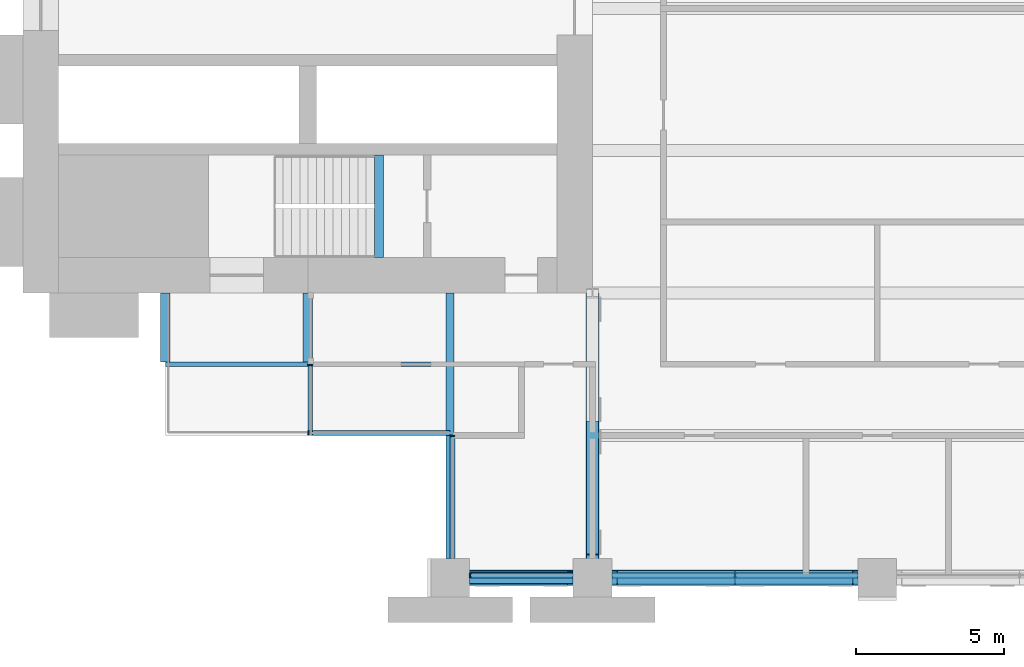
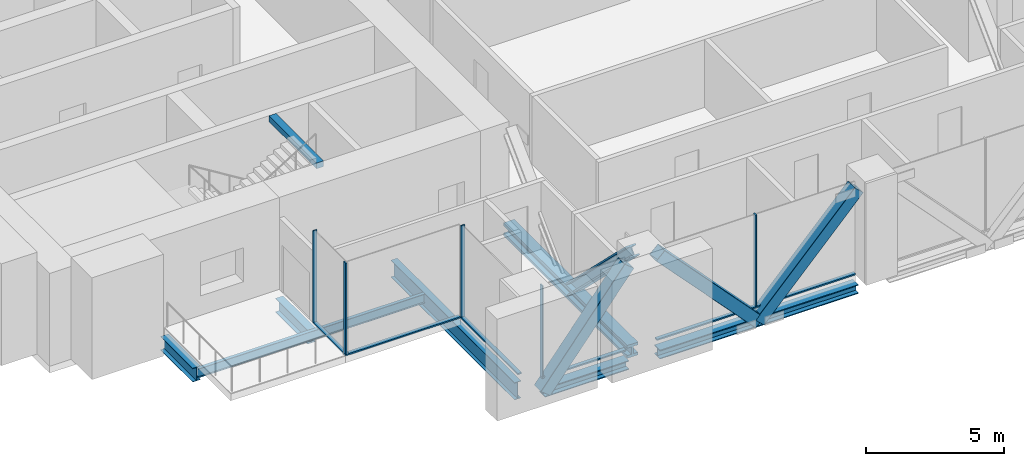
# One storey, part 2 of 15: 14 members, 8 beams, 4 elements without a shape of their own.
"""IFC4 building model written with IfcOpenShell, lengths in metres."""

from ifc_helpers import new_model, si_unit, direction, frame, origin, origin_2d, place, context, subcontext, project, spatial, rectangle, hollow_rectangle, i_section, extrude, material, material_profile, profile_set, type_object, element, aggregate, save


model = new_model("IFC4")

# Units and contexts
model_context = context("Model", 3, precision=1e-05, world=origin(), true_north=direction((0.0, 1.0)))
body_context = subcontext(model_context, "Body", "Model", "MODEL_VIEW")
ifc_project = project(units=[si_unit("LENGTHUNIT", "METRE"), si_unit("AREAUNIT", "SQUARE_METRE"), si_unit("VOLUMEUNIT", "CUBIC_METRE"), si_unit("PLANEANGLEUNIT", "RADIAN"), si_unit("MASSUNIT", "GRAM", prefix="KILO")], contexts=[model_context])

# Site, building, storey
site_placement = place(None, origin())
site = spatial("IfcSite", under=ifc_project, at=site_placement, CompositionType="ELEMENT")
building_placement = place(site_placement, origin())
building = spatial("IfcBuilding", under=site, at=building_placement, Name="Baori Bourse Tower", CompositionType="ELEMENT")
storey_placement = place(building_placement, frame((0.0, 0.0, 87.0)))
storey = spatial("IfcBuildingStorey", under=building, at=storey_placement, Name="L19", CompositionType="ELEMENT", Elevation=87.0)

# Beams
ifc_material_1 = material(Name="Steel A913 Gr 65", Category="steel")
ifc_material_profile_1 = material_profile(ifc_material_1, i_section(OverallWidth=0.4013671875, OverallDepth=0.398681640625, WebThickness=0.02490234375, FlangeThickness=0.03955078125, at=origin_2d()), Name="W14x211")
ifc_profile_set_1 = profile_set([ifc_material_profile_1], Name="Steel A913 Gr 65")
beam_type_1 = type_object("IfcBeamType", Name="Belt truss chord W14x211", PredefinedType="BEAM", material=ifc_profile_set_1)
beam_1_placement = place(storey_placement, frame((15.050048828125, 0.0, -0.49951171875), z_axis=(1.0, 0.0, 0.0), x_axis=(0.0, 1.0, 0.0)))
element("IfcBeam", 1, at=beam_1_placement, inside=storey, type_object=beam_type_1, Name="Belt truss chord L19", PredefinedType="BEAM", context=body_context, shape_type="SweptSolid", body=[
    extrude(i_section(OverallWidth=0.4013671875, OverallDepth=0.398681640625, WebThickness=0.02490234375, FlangeThickness=0.03955078125, at=origin_2d()), origin(), (0.0, 0.0, 1.0), 3.5),
])
beam_2_placement = place(storey_placement, frame((19.85009765625, 0.0, -0.49951171875), z_axis=(1.0, 0.0, 0.0), x_axis=(0.0, 1.0, 0.0)))
element("IfcBeam", 2, at=beam_2_placement, inside=storey, type_object=beam_type_1, Name="Belt truss chord L19", PredefinedType="BEAM", context=body_context, shape_type="SweptSolid", body=[
    extrude(i_section(OverallWidth=0.4013671875, OverallDepth=0.398681640625, WebThickness=0.02490234375, FlangeThickness=0.03955078125, at=origin_2d()), origin(), (0.0, 0.0, 1.0), 8.2998046875),
])

# Members
ifc_material_2 = material(Name="Steel A500 Gr C", Category="steel")
ifc_material_profile_2 = material_profile(ifc_material_2, hollow_rectangle(XDim=0.508056640625, YDim=0.508056640625, WallThickness=0.0146484375, InnerFilletRadius=0.00732421875, OuterFilletRadius=0.022216796875, at=origin_2d()), Name="HSS20x20x5/8")
ifc_profile_set_2 = profile_set([ifc_material_profile_2], Name="Steel A500 Gr C")
member_type_1 = type_object("IfcMemberType", Name="Belt truss diagonal HSS20x20x5/8", PredefinedType="BRACE", material=ifc_profile_set_2)
member_1_placement = place(storey_placement, frame((15.050048828125, 0.0, -0.49951171875), z_axis=(0.622510872677, 0.0, 0.782611150827), x_axis=(0.0, 1.0, 0.0)))
element("IfcMember", 3, at=member_1_placement, inside=storey, type_object=member_type_1, Name="Belt truss diagonal L19", PredefinedType="BRACE", context=body_context, shape_type="SweptSolid", body=[
    extrude(hollow_rectangle(XDim=0.508056640625, YDim=0.508056640625, WallThickness=0.0146484375, InnerFilletRadius=0.00732421875, OuterFilletRadius=0.022216796875, at=origin_2d()), origin(), (0.0, 0.0, 1.0), 5.622314453125),
])
for number, where, z_axis, x_axis, name in (
    (4, (19.85009765625, 0.0, 3.900634765625), (0.686117261825, 0.0, -0.727490964223), (0.0, 1.0, 0.0), "Belt truss diagonal L19"),
    (5, (24.0, 0.0, -0.49951171875), (0.686117261825, 0.0, 0.727490964223), (0.0, 1.0, 0.0), "Belt truss diagonal L19"),
):
    element("IfcMember", number, at=place(storey_placement, frame(where, z_axis=z_axis, x_axis=x_axis)), inside=storey, type_object=member_type_1, Name=name, PredefinedType="BRACE", context=body_context, shape_type="SweptSolid", body=[
        extrude(hollow_rectangle(XDim=0.508056640625, YDim=0.508056640625, WallThickness=0.0146484375, InnerFilletRadius=0.00732421875, OuterFilletRadius=0.022216796875, at=origin_2d()), origin(), (0.0, 0.0, 1.0), 6.04833984375),
    ])

# Curtain wall, member
ifc_material_3 = material(Name="Pale anodised aluminium", Category="aluminium")
curtain_wall_type = type_object("IfcCurtainWallType", Name="CW3 Curtain wall", PredefinedType="NOTDEFINED", material=ifc_material_3)
curtain_wall_1_placement = place(storey_placement, origin())
curtain_wall_1 = element("IfcCurtainWall", 6, at=curtain_wall_1_placement, inside=storey, type_object=curtain_wall_type, Name="Curtain wall CW3 L19 8", PredefinedType="NOTDEFINED")
ifc_material_4 = material(Name="Pale anodised aluminium", Category="aluminium")
ifc_material_profile_3 = material_profile(ifc_material_4, rectangle(XDim=0.159912109375, YDim=0.050048828125, at=origin_2d()), Name="Mullion 50x160")
ifc_profile_set_3 = profile_set([ifc_material_profile_3], Name="Pale anodised aluminium")
member_type_2 = type_object("IfcMemberType", Name="CW3 Curtain wall mullion", PredefinedType="MULLION", material=ifc_profile_set_3)
member_2_placement = place(storey_placement, frame((9.679931640625, 7.175048828125, 0.06005859375), z_axis=(0.0, 0.0, 1.0), x_axis=(1.0, 0.0, 0.0)))
member_2 = element("IfcMember", 7, at=member_2_placement, type_object=member_type_2, Name="Curtain wall CW3 mullion", PredefinedType="MULLION", context=body_context, shape_type="SweptSolid", body=[
    extrude(rectangle(XDim=0.159912109375, YDim=0.050048828125, at=origin_2d()), origin(), (0.0, 0.0, 1.0), 4.0400390625),
])

curtain_wall_2_placement = place(storey_placement, origin())
curtain_wall_2 = element("IfcCurtainWall", 8, at=curtain_wall_2_placement, inside=storey, type_object=curtain_wall_type, Name="Curtain wall CW3 L19 9", PredefinedType="NOTDEFINED")
member_3_placement = place(storey_placement, frame((9.625, 4.8798828125, 0.06005859375), z_axis=(0.0, 0.0, 1.0), x_axis=(0.0, 1.0, 0.0)))
member_3 = element("IfcMember", 9, at=member_3_placement, type_object=member_type_2, Name="Curtain wall CW3 mullion", PredefinedType="MULLION", context=body_context, shape_type="SweptSolid", body=[
    extrude(rectangle(XDim=0.159912109375, YDim=0.050048828125, at=origin_2d()), origin(), (0.0, 0.0, 1.0), 4.0400390625),
])

curtain_wall_3_placement = place(storey_placement, origin())
curtain_wall_3 = element("IfcCurtainWall", 10, at=curtain_wall_3_placement, inside=storey, type_object=curtain_wall_type, Name="Curtain wall CW3 L19 10", PredefinedType="NOTDEFINED")
member_4_placement = place(storey_placement, frame((14.47998046875, 4.77490234375, 0.06005859375), z_axis=(0.0, 0.0, 1.0), x_axis=(1.0, 0.0, 0.0)))
member_4 = element("IfcMember", 11, at=member_4_placement, type_object=member_type_2, Name="Curtain wall CW3 mullion", PredefinedType="MULLION", context=body_context, shape_type="SweptSolid", body=[
    extrude(rectangle(XDim=0.159912109375, YDim=0.050048828125, at=origin_2d()), origin(), (0.0, 0.0, 1.0), 4.0400390625),
])

# Curtain wall, members
curtain_wall_4_placement = place(storey_placement, origin())
curtain_wall_4 = element("IfcCurtainWall", 12, at=curtain_wall_4_placement, inside=storey, type_object=curtain_wall_type, Name="Curtain wall CW3 L19 11", PredefinedType="NOTDEFINED")
member_5_placement = place(storey_placement, frame((15.074951171875, 0.080078125, 0.06005859375), z_axis=(0.0, 0.0, 1.0), x_axis=(0.0, 1.0, 0.0)))
member_5 = element("IfcMember", 13, at=member_5_placement, type_object=member_type_2, Name="Curtain wall CW3 mullion", PredefinedType="MULLION", context=body_context, shape_type="SweptSolid", body=[
    extrude(rectangle(XDim=0.159912109375, YDim=0.050048828125, at=origin_2d()), origin(), (0.0, 0.0, 1.0), 4.0400390625),
])
member_6_placement = place(storey_placement, frame((24.0, 0.080078125, 0.06005859375), z_axis=(0.0, 0.0, 1.0), x_axis=(0.0, 1.0, 0.0)))
member_6 = element("IfcMember", 14, at=member_6_placement, type_object=member_type_2, Name="Curtain wall CW3 mullion", PredefinedType="MULLION", context=body_context, shape_type="SweptSolid", body=[
    extrude(rectangle(XDim=0.159912109375, YDim=0.050048828125, at=origin_2d()), origin(), (0.0, 0.0, 1.0), 4.0400390625),
])

# Member
ifc_material_5 = material(Name="Pale anodised aluminium", Category="aluminium")
ifc_material_profile_4 = material_profile(ifc_material_5, rectangle(XDim=0.159912109375, YDim=0.06005859375, at=origin_2d()), Name="Transom 60x160")
ifc_profile_set_4 = profile_set([ifc_material_profile_4], Name="Pale anodised aluminium")
member_type_3 = type_object("IfcMemberType", Name="CW3 Curtain wall transom", PredefinedType="USERDEFINED", material=ifc_profile_set_4)
member_7_placement = place(storey_placement, frame((9.679931640625, 7.199951171875, 0.030029296875), z_axis=(0.0, -1.0, 0.0), x_axis=(1.0, 0.0, 0.0)))
member_7 = element("IfcMember", 15, at=member_7_placement, type_object=member_type_3, Name="Curtain wall CW3 sill rail", ObjectType="TRANSOM", PredefinedType="USERDEFINED", context=body_context, shape_type="SweptSolid", body=[
    extrude(rectangle(XDim=0.159912109375, YDim=0.06005859375, at=origin_2d()), origin(), (0.0, 0.0, 1.0), 2.39990234375),
])

aggregate(curtain_wall_1, [member_7, member_2])

member_8_placement = place(storey_placement, frame((9.60009765625, 4.8798828125, 0.030029296875), z_axis=(1.0, 0.0, 0.0), x_axis=(0.0, 1.0, 0.0)))
member_8 = element("IfcMember", 16, at=member_8_placement, type_object=member_type_3, Name="Curtain wall CW3 sill rail", ObjectType="TRANSOM", PredefinedType="USERDEFINED", context=body_context, shape_type="SweptSolid", body=[
    extrude(rectangle(XDim=0.159912109375, YDim=0.06005859375, at=origin_2d()), origin(), (0.0, 0.0, 1.0), 4.7998046875),
])

aggregate(curtain_wall_2, [member_8, member_3])

member_9_placement = place(storey_placement, frame((14.47998046875, 4.800048828125, 0.030029296875), z_axis=(0.0, -1.0, 0.0), x_axis=(1.0, 0.0, 0.0)))
member_9 = element("IfcMember", 17, at=member_9_placement, type_object=member_type_3, Name="Curtain wall CW3 sill rail", ObjectType="TRANSOM", PredefinedType="USERDEFINED", context=body_context, shape_type="SweptSolid", body=[
    extrude(rectangle(XDim=0.159912109375, YDim=0.06005859375, at=origin_2d()), origin(), (0.0, 0.0, 1.0), 4.150146484375),
])

aggregate(curtain_wall_3, [member_9, member_4])

member_10_placement = place(storey_placement, frame((15.050048828125, 0.080078125, 0.030029296875), z_axis=(1.0, 0.0, 0.0), x_axis=(0.0, 1.0, 0.0)))
member_10 = element("IfcMember", 18, at=member_10_placement, type_object=member_type_3, Name="Curtain wall CW3 sill rail", ObjectType="TRANSOM", PredefinedType="USERDEFINED", context=body_context, shape_type="SweptSolid", body=[
    extrude(rectangle(XDim=0.159912109375, YDim=0.06005859375, at=origin_2d()), origin(), (0.0, 0.0, 1.0), 3.5),
])

member_11_placement = place(storey_placement, frame((19.85009765625, 0.080078125, 0.030029296875), z_axis=(1.0, 0.0, 0.0), x_axis=(0.0, 1.0, 0.0)))
member_11 = element("IfcMember", 19, at=member_11_placement, type_object=member_type_3, Name="Curtain wall CW3 sill rail", ObjectType="TRANSOM", PredefinedType="USERDEFINED", context=body_context, shape_type="SweptSolid", body=[
    extrude(rectangle(XDim=0.159912109375, YDim=0.06005859375, at=origin_2d()), origin(), (0.0, 0.0, 1.0), 8.2998046875),
])

aggregate(curtain_wall_4, [member_10, member_5, member_11, member_6])

# Beams
ifc_material_6 = material(Name="Steel A992 Gr 50", Category="steel")
ifc_material_profile_5 = material_profile(ifc_material_6, i_section(OverallWidth=0.3251953125, OverallDepth=0.612060546875, WebThickness=0.0126953125, FlangeThickness=0.01904296875, at=origin_2d()), Name="W24x104")
ifc_profile_set_5 = profile_set([ifc_material_profile_5], Name="Steel A992 Gr 50")
beam_type_2 = type_object("IfcBeamType", Name="Core bracket W24x104", PredefinedType="BEAM", material=ifc_profile_set_5)
for number, where, z_axis, x_axis, name in (
    (20, (4.800048828125, 7.270263671875, -0.60595703125), (0.0, 1.0, 0.0), (-1.0, 0.0, 0.0), "Core bracket L19"),
    (21, (9.60009765625, 7.270263671875, -0.60595703125), (0.0, 1.0, 0.0), (-1.0, 0.0, 0.0), "Core bracket L19"),
):
    element("IfcBeam", number, at=place(storey_placement, frame(where, z_axis=z_axis, x_axis=x_axis)), inside=storey, type_object=beam_type_2, Name=name, PredefinedType="BEAM", context=body_context, shape_type="SweptSolid", body=[
        extrude(i_section(OverallWidth=0.3251953125, OverallDepth=0.612060546875, WebThickness=0.0126953125, FlangeThickness=0.01904296875, at=origin_2d()), origin(), (0.0, 0.0, 1.0), 2.329833984375),
    ])
ifc_material_7 = material(Name="Steel A992 Gr 50", Category="steel")
ifc_material_profile_6 = material_profile(ifc_material_7, i_section(OverallWidth=0.2666015625, OverallDepth=0.7568359375, WebThickness=0.013916015625, FlangeThickness=0.019287109375, at=origin_2d()), Name="W30x108")
ifc_profile_set_6 = profile_set([ifc_material_profile_6], Name="Steel A992 Gr 50")
beam_type_3 = type_object("IfcBeamType", Name="Floor beam W30x108", PredefinedType="BEAM", material=ifc_profile_set_6)
beam_3_placement = place(storey_placement, frame((14.39990234375, 0.64990234375, -0.678466796875), z_axis=(0.0, 1.0, 0.0), x_axis=(-1.0, 0.0, 0.0)))
element("IfcBeam", 22, at=beam_3_placement, inside=storey, type_object=beam_type_3, Name="Floor beam L19", PredefinedType="BEAM", context=body_context, shape_type="SweptSolid", body=[
    extrude(i_section(OverallWidth=0.2666015625, OverallDepth=0.7568359375, WebThickness=0.013916015625, FlangeThickness=0.019287109375, at=origin_2d()), origin(), (0.0, 0.0, 1.0), 8.9501953125),
])
ifc_material_8 = material(Name="Steel A913 Gr 65", Category="steel")
ifc_material_profile_7 = material_profile(ifc_material_8, i_section(OverallWidth=0.45458984375, OverallDepth=0.56884765625, WebThickness=0.077880859375, FlangeThickness=0.124755859375, at=origin_2d()), Name="W14x730")
ifc_profile_set_7 = profile_set([ifc_material_profile_7], Name="Steel A913 Gr 65")
beam_type_4 = type_object("IfcBeamType", Name="Outrigger truss chord W14x730", PredefinedType="BEAM", material=ifc_profile_set_7)
beam_4_placement = place(storey_placement, frame((19.199951171875, 0.64990234375, -0.58447265625), z_axis=(0.0, 1.0, 0.0), x_axis=(-1.0, 0.0, 0.0)))
element("IfcBeam", 23, at=beam_4_placement, inside=storey, type_object=beam_type_4, Name="Outrigger truss chord L19", PredefinedType="BEAM", context=body_context, shape_type="SweptSolid", body=[
    extrude(i_section(OverallWidth=0.45458984375, OverallDepth=0.56884765625, WebThickness=0.077880859375, FlangeThickness=0.124755859375, at=origin_2d()), origin(), (0.0, 0.0, 1.0), 8.9501953125),
])

# Member
ifc_material_9 = material(Name="Steel A913 Gr 65", Category="steel")
ifc_material_profile_8 = material_profile(ifc_material_9, i_section(OverallWidth=0.419189453125, OverallDepth=0.45458984375, WebThickness=0.042236328125, FlangeThickness=0.067626953125, at=origin_2d()), Name="W14x370")
ifc_profile_set_8 = profile_set([ifc_material_profile_8], Name="Steel A913 Gr 65")
member_type_4 = type_object("IfcMemberType", Name="Outrigger truss diagonal W14x370", PredefinedType="BRACE", material=ifc_profile_set_8)
member_12_placement = place(storey_placement, frame((19.199951171875, 0.64990234375, 3.8154296875), z_axis=(0.0, 0.713072298636, -0.701090505511), x_axis=(-1.0, 0.0, 0.0)))
element("IfcMember", 24, at=member_12_placement, inside=storey, type_object=member_type_4, Name="Outrigger truss diagonal L19", PredefinedType="BRACE", context=body_context, shape_type="SweptSolid", body=[
    extrude(i_section(OverallWidth=0.419189453125, OverallDepth=0.45458984375, WebThickness=0.042236328125, FlangeThickness=0.067626953125, at=origin_2d()), origin(), (0.0, 0.0, 1.0), 6.27587890625),
])

# Beams
ifc_material_10 = material(Name="Concrete f'c 50 MPa", Category="concrete")
ifc_material_profile_9 = material_profile(ifc_material_10, rectangle(XDim=0.300048828125, YDim=0.25, at=origin_2d()), Name="RC 300x250")
ifc_profile_set_9 = profile_set([ifc_material_profile_9], Name="Concrete f'c 50 MPa")
beam_type_5 = type_object("IfcBeamType", Name="Stair nib beam RC 300x250", PredefinedType="BEAM", material=ifc_profile_set_9)
beam_5_placement = place(storey_placement, frame((12.0, 10.800048828125, 3.97509765625), z_axis=(0.0, 1.0, 0.0), x_axis=(-1.0, 0.0, 0.0)))
element("IfcBeam", 25, at=beam_5_placement, inside=storey, type_object=beam_type_5, Name="Stair WA nib beam L20", PredefinedType="BEAM", context=body_context, shape_type="SweptSolid", body=[
    extrude(rectangle(XDim=0.300048828125, YDim=0.25, at=origin_2d()), origin(), (0.0, 0.0, 1.0), 3.449951171875),
])
ifc_material_11 = material(Name="Steel A992 Gr 50", Category="steel")
ifc_material_profile_10 = material_profile(ifc_material_11, i_section(OverallWidth=0.140380859375, OverallDepth=0.40380859375, WebThickness=0.007080078125, FlangeThickness=0.01123046875, at=origin_2d()), Name="W16x31")
ifc_profile_set_10 = profile_set([ifc_material_profile_10], Name="Steel A992 Gr 50")
beam_type_6 = type_object("IfcBeamType", Name="Trimmer beam W16x31", PredefinedType="BEAM", material=ifc_profile_set_10)
beam_6_placement = place(storey_placement, frame((4.800048828125, 7.199951171875, -0.501953125), z_axis=(1.0, 0.0, 0.0), x_axis=(0.0, 1.0, 0.0)))
element("IfcBeam", 26, at=beam_6_placement, inside=storey, type_object=beam_type_6, Name="Trimmer beam L19", PredefinedType="BEAM", context=body_context, shape_type="SweptSolid", body=[
    extrude(i_section(OverallWidth=0.140380859375, OverallDepth=0.40380859375, WebThickness=0.007080078125, FlangeThickness=0.01123046875, at=origin_2d()), origin(), (0.0, 0.0, 1.0), 9.466552734375),
])

save(model, "model.ifc")
